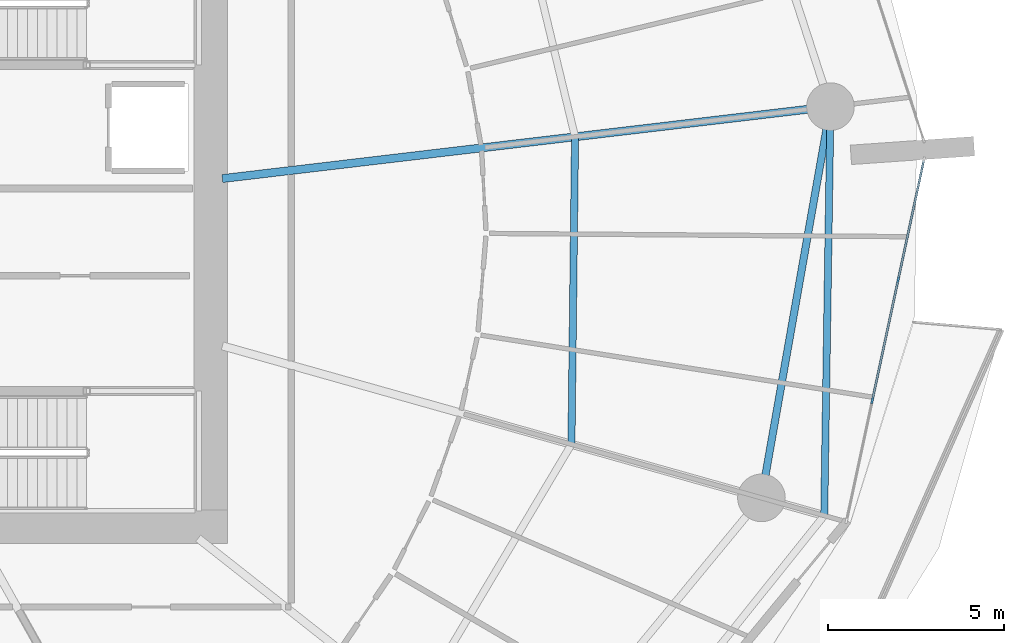
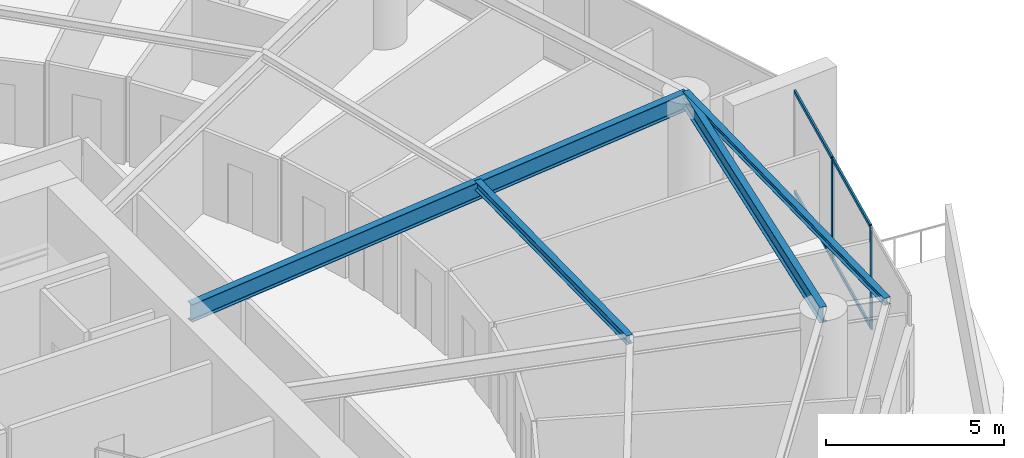
# One storey, part 11 of 31: 6 members, 4 beams, 1 element without a shape of its own.
"""IFC4 building model written with IfcOpenShell, lengths in metres."""

from ifc_helpers import new_model, si_unit, direction, frame, origin, origin_2d, place, context, subcontext, project, spatial, rectangle, i_section, extrude, material, layer, layer_set, material_profile, profile_set, type_object, element, aggregate, save


model = new_model("IFC4")

# Units and contexts
model_context = context("Model", 3, precision=1e-05, world=origin(), true_north=direction((0.0, 1.0)))
body_context = subcontext(model_context, "Body", "Model", "MODEL_VIEW")
ifc_project = project(units=[si_unit("LENGTHUNIT", "METRE"), si_unit("AREAUNIT", "SQUARE_METRE"), si_unit("VOLUMEUNIT", "CUBIC_METRE"), si_unit("PLANEANGLEUNIT", "RADIAN"), si_unit("MASSUNIT", "GRAM", prefix="KILO")], contexts=[model_context])

# Site, building, storey
site_placement = place(None, origin())
site = spatial("IfcSite", under=ifc_project, at=site_placement, CompositionType="ELEMENT")
building_placement = place(site_placement, origin())
building = spatial("IfcBuilding", under=site, at=building_placement, Name="Kazma Halo Residences", CompositionType="ELEMENT")
storey_placement = place(building_placement, frame((0.0, 0.0, 60.14990234375)))
storey = spatial("IfcBuildingStorey", under=building, at=storey_placement, Name="L14", CompositionType="ELEMENT", Elevation=60.14990234375)

# Beams
ifc_material_1 = material(Name="Steel S355", Category="steel")
ifc_material_profile_1 = material_profile(ifc_material_1, i_section(OverallWidth=0.201904296875, OverallDepth=0.2470703125, WebThickness=0.00732421875, FlangeThickness=0.010986328125, FilletRadius=0.011962890625, at=origin_2d()), Name="W250x49.1")
ifc_profile_set_1 = profile_set([ifc_material_profile_1], Name="Steel S355")
beam_type_1 = type_object("IfcBeamType", Name="BM-BAL-CANT", PredefinedType="BEAM", material=ifc_profile_set_1)
beam_1_placement = place(storey_placement, frame((76.92138671875, 33.84326171875, 3.376708984375), z_axis=(0.015213846033, 0.999884262747, 0.0), x_axis=(-0.999884262747, 0.015213846033, 0.0)))
element("IfcBeam", 1, at=beam_1_placement, inside=storey, type_object=beam_type_1, Name="L14 wave-balcony tie beam 15", PredefinedType="BEAM", context=body_context, shape_type="SweptSolid", body=[
    extrude(i_section(OverallWidth=0.201904296875, OverallDepth=0.2470703125, WebThickness=0.00732421875, FlangeThickness=0.010986328125, FilletRadius=0.011962890625, at=origin_2d()), origin(), (0.0, 0.0, 1.0), 11.602294921875),
])
ifc_material_profile_2 = material_profile(ifc_material_1, i_section(OverallWidth=0.22802734375, OverallDepth=0.60791015625, WebThickness=0.01123046875, FlangeThickness=0.017333984375, FilletRadius=0.01806640625, at=origin_2d()), Name="W610x113")
ifc_profile_set_2 = profile_set([ifc_material_profile_2], Name="Steel S355")
beam_type_2 = type_object("IfcBeamType", Name="BM-RAD-W610", PredefinedType="BEAM", material=ifc_profile_set_2)
beam_2_placement = place(storey_placement, frame((59.85009765625, 43.402587890625, 3.196044921875), z_axis=(0.993067839154, 0.117542617111, 0.0), x_axis=(-0.117542617111, 0.993067839154, 0.0)))
element("IfcBeam", 2, at=beam_2_placement, inside=storey, type_object=beam_type_2, Name="L14 radial floor beam 16", PredefinedType="BEAM", context=body_context, shape_type="SweptSolid", body=[
    extrude(i_section(OverallWidth=0.22802734375, OverallDepth=0.60791015625, WebThickness=0.01123046875, FlangeThickness=0.017333984375, FilletRadius=0.01806640625, at=origin_2d()), origin(), (0.0, 0.0, 1.0), 17.3681640625),
])
ifc_material_profile_3 = material_profile(ifc_material_1, i_section(OverallWidth=0.202880859375, OverallDepth=0.302978515625, WebThickness=0.007568359375, FlangeThickness=0.01318359375, FilletRadius=0.013916015625, at=origin_2d()), Name="W310x60")
ifc_profile_set_3 = profile_set([ifc_material_profile_3], Name="Steel S355")
beam_type_3 = type_object("IfcBeamType", Name="BM-SEC-W310A", PredefinedType="JOIST", material=ifc_profile_set_3)
beam_3_placement = place(storey_placement, frame((69.75146484375, 35.865478515625, 3.3486328125), z_axis=(0.011728659646, 0.999931216906, 0.0), x_axis=(-0.999931216906, 0.011728659646, 0.0)))
element("IfcBeam", 3, at=beam_3_placement, inside=storey, type_object=beam_type_3, Name="L14 circumferential floor joist 15", PredefinedType="JOIST", context=body_context, shape_type="SweptSolid", body=[
    extrude(i_section(OverallWidth=0.202880859375, OverallDepth=0.302978515625, WebThickness=0.007568359375, FlangeThickness=0.01318359375, FilletRadius=0.013916015625, at=origin_2d()), origin(), (0.0, 0.0, 1.0), 8.7216796875),
])
ifc_material_profile_4 = material_profile(ifc_material_1, i_section(OverallWidth=0.208984375, OverallDepth=0.532958984375, WebThickness=0.01025390625, FlangeThickness=0.015625, FilletRadius=0.01611328125, at=origin_2d()), Name="W530x92")
ifc_profile_set_4 = profile_set([ifc_material_profile_4], Name="Steel S355")
beam_type_4 = type_object("IfcBeamType", Name="BM-SPN-W530", PredefinedType="BEAM", material=ifc_profile_set_4)
beam_4_placement = place(storey_placement, frame((75.140869140625, 34.345458984375, 3.233642578125), z_axis=(0.173651864005, 0.984807103004, 0.0), x_axis=(-0.984807103004, 0.173651864005, 0.0)))
element("IfcBeam", 4, at=beam_4_placement, inside=storey, type_object=beam_type_4, Name="L14 perimeter ring beam 15", PredefinedType="BEAM", context=body_context, shape_type="SweptSolid", body=[
    extrude(i_section(OverallWidth=0.208984375, OverallDepth=0.532958984375, WebThickness=0.01025390625, FlangeThickness=0.015625, FilletRadius=0.01611328125, at=origin_2d()), origin(), (0.0, 0.0, 1.0), 11.269775390625),
])

# Curtain wall, members
ifc_material_2 = material(Name="Aluminium AW-6063 T6 and Triple-Silver Low-E Glass", Category="aluminium")
ifc_layer = layer(ifc_material_2, 0.159912109375)
ifc_layer_set = layer_set([ifc_layer], Name="Aluminium AW-6063 T6 and Triple-Silver Low-E Glass")
curtain_wall_type = type_object("IfcCurtainWallType", Name="CW-SYS-2", PredefinedType="NOTDEFINED", material=ifc_layer_set)
curtain_wall_placement = place(storey_placement, origin())
curtain_wall = element("IfcCurtainWall", 5, at=curtain_wall_placement, inside=storey, type_object=curtain_wall_type, Name="L14 unitised curtain wall B15", PredefinedType="NOTDEFINED")
ifc_material_3 = material(Name="Aluminium AW-6063 T6", Category="aluminium")
ifc_material_profile_5 = material_profile(ifc_material_3, rectangle(XDim=0.06005859375, YDim=0.159912109375, at=origin_2d()), Name="CWM-60x160")
ifc_profile_set_5 = profile_set([ifc_material_profile_5], Name="Aluminium AW-6063 T6")
member_type_1 = type_object("IfcMemberType", Name="CW-SYS-2-MUL", PredefinedType="MULLION", material=ifc_profile_set_5)
member_1_placement = place(storey_placement, frame((78.282958984375, 37.101318359375, 0.0), z_axis=(0.0, 0.0, 1.0), x_axis=(-0.977779215096, 0.209637321406, 0.0)))
member_1 = element("IfcMember", 6, at=member_1_placement, type_object=member_type_1, Name="CWS-2 mullion 2", PredefinedType="MULLION", context=body_context, shape_type="SweptSolid", body=[
    extrude(rectangle(XDim=0.06005859375, YDim=0.159912109375, at=origin_2d()), origin(), (0.0, 0.0, 1.0), 3.5),
])
member_2_placement = place(storey_placement, frame((79.019287109375, 40.53564453125, 0.0), z_axis=(0.0, 0.0, 1.0), x_axis=(-0.977779215096, 0.209637321406, 0.0)))
member_2 = element("IfcMember", 7, at=member_2_placement, type_object=member_type_1, Name="CWS-2 mullion 3", PredefinedType="MULLION", context=body_context, shape_type="SweptSolid", body=[
    extrude(rectangle(XDim=0.06005859375, YDim=0.159912109375, at=origin_2d()), origin(), (0.0, 0.0, 1.0), 3.5),
])
ifc_material_profile_6 = material_profile(ifc_material_3, rectangle(XDim=0.06005859375, YDim=0.1201171875, at=origin_2d()), Name="CWT-60x120")
ifc_profile_set_6 = profile_set([ifc_material_profile_6], Name="Aluminium AW-6063 T6")
member_type_2 = type_object("IfcMemberType", Name="CW-SYS-2-TRN", PredefinedType="USERDEFINED", material=ifc_profile_set_6)
member_3_placement = place(storey_placement, frame((78.289306640625, 37.130615234375, 0.030029296875), z_axis=(0.209669136217, 0.977772393412, 0.0), x_axis=(-0.977772393412, 0.209669136217, 0.0)))
member_3 = element("IfcMember", 8, at=member_3_placement, type_object=member_type_2, Name="CWS-2 transom 2.1", ObjectType="TRANSOM", PredefinedType="USERDEFINED", context=body_context, shape_type="SweptSolid", body=[
    extrude(rectangle(XDim=0.06005859375, YDim=0.1201171875, at=origin_2d()), origin(), (0.0, 0.0, 1.0), 3.452392578125),
])
member_4_placement = place(storey_placement, frame((78.289306640625, 37.130615234375, 3.47021484375), z_axis=(0.209669136217, 0.977772393412, 0.0), x_axis=(-0.977772393412, 0.209669136217, 0.0)))
member_4 = element("IfcMember", 9, at=member_4_placement, type_object=member_type_2, Name="CWS-2 transom 2.2", ObjectType="TRANSOM", PredefinedType="USERDEFINED", context=body_context, shape_type="SweptSolid", body=[
    extrude(rectangle(XDim=0.06005859375, YDim=0.1201171875, at=origin_2d()), origin(), (0.0, 0.0, 1.0), 3.452392578125),
])
member_5_placement = place(storey_placement, frame((79.025634765625, 40.565185546875, 0.030029296875), z_axis=(0.209665500897, 0.977773172946, 0.0), x_axis=(-0.977773172946, 0.209665500897, 0.0)))
member_5 = element("IfcMember", 10, at=member_5_placement, type_object=member_type_2, Name="CWS-2 transom 3.1", ObjectType="TRANSOM", PredefinedType="USERDEFINED", context=body_context, shape_type="SweptSolid", body=[
    extrude(rectangle(XDim=0.06005859375, YDim=0.1201171875, at=origin_2d()), origin(), (0.0, 0.0, 1.0), 3.42236328125),
])
member_6_placement = place(storey_placement, frame((79.025634765625, 40.565185546875, 3.47021484375), z_axis=(0.209665500897, 0.977773172946, 0.0), x_axis=(-0.977773172946, 0.209665500897, 0.0)))
member_6 = element("IfcMember", 11, at=member_6_placement, type_object=member_type_2, Name="CWS-2 transom 3.2", ObjectType="TRANSOM", PredefinedType="USERDEFINED", context=body_context, shape_type="SweptSolid", body=[
    extrude(rectangle(XDim=0.06005859375, YDim=0.1201171875, at=origin_2d()), origin(), (0.0, 0.0, 1.0), 3.42236328125),
])
aggregate(curtain_wall, [member_1, member_2, member_3, member_4, member_5, member_6])

save(model, "model.ifc")
